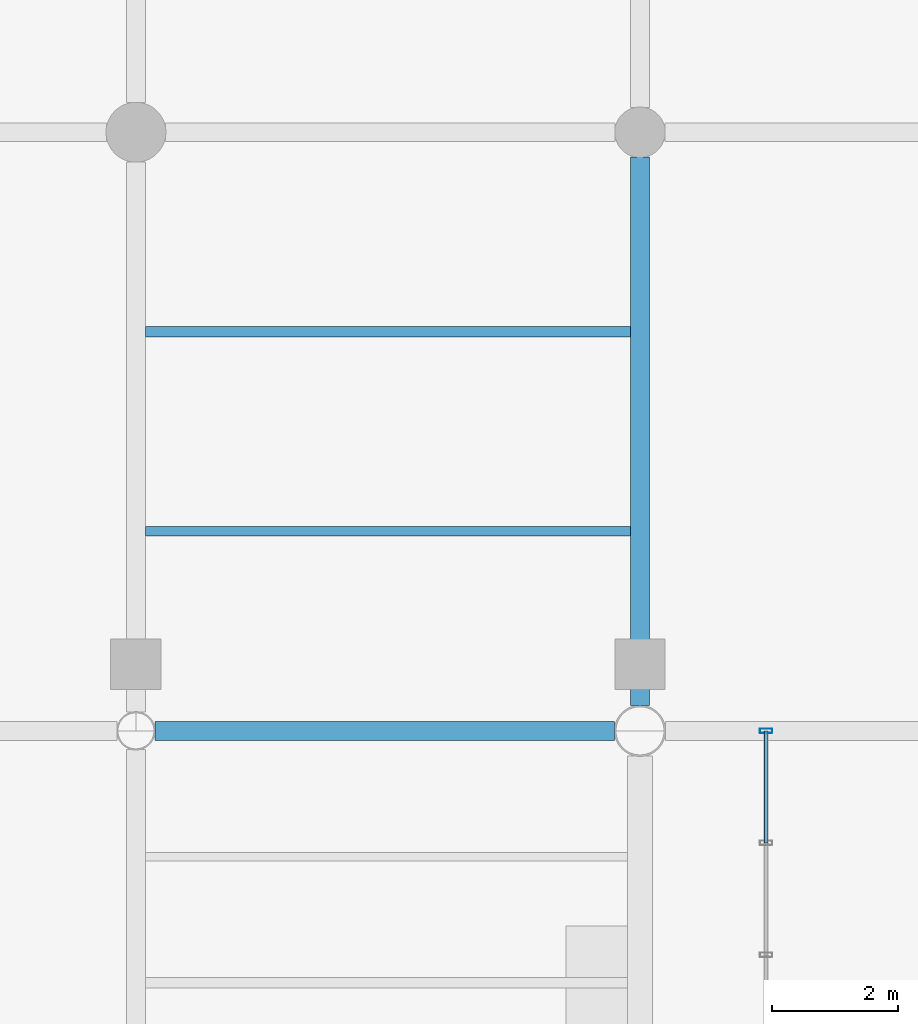
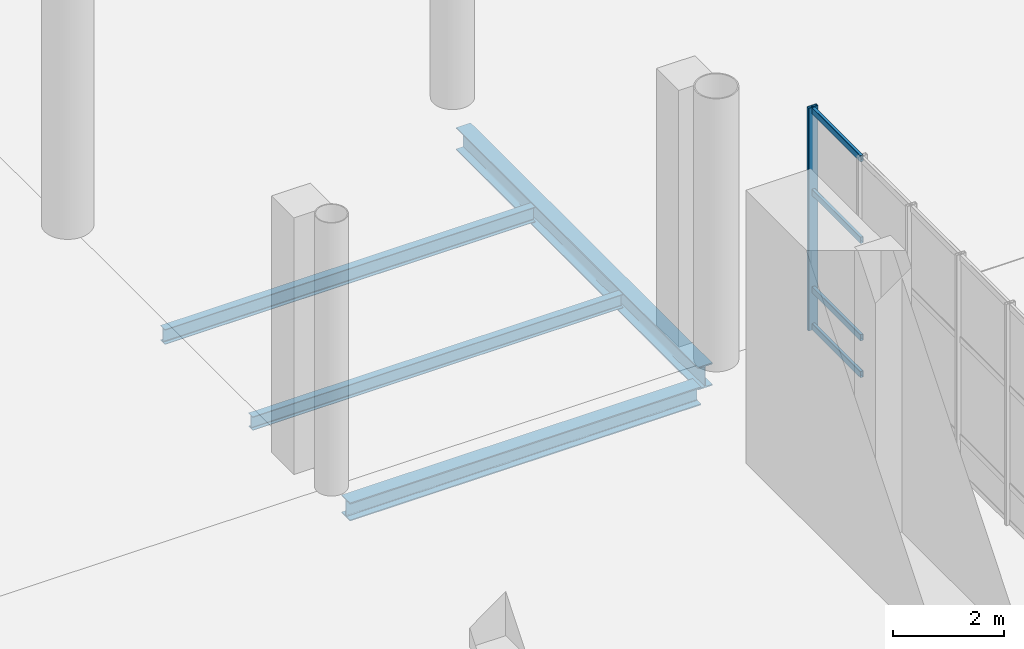
# One storey, part 100 of 163: 5 members, 4 beams, 1 element without a shape of its own.
"""IFC4 building model written with IfcOpenShell, lengths in metres."""

from ifc_helpers import new_model, si_unit, direction, frame, origin, origin_2d, place, context, subcontext, project, spatial, hollow_rectangle, i_section, extrude, material, layer, layer_set, material_profile, profile_set, type_object, element, aggregate, save


model = new_model("IFC4")

# Units and contexts
model_context = context("Model", 3, precision=1e-05, world=origin(), true_north=direction((0.0, 1.0)))
body_context = subcontext(model_context, "Body", "Model", "MODEL_VIEW")
ifc_project = project(units=[si_unit("LENGTHUNIT", "METRE"), si_unit("AREAUNIT", "SQUARE_METRE"), si_unit("VOLUMEUNIT", "CUBIC_METRE"), si_unit("PLANEANGLEUNIT", "RADIAN"), si_unit("MASSUNIT", "GRAM", prefix="KILO")], contexts=[model_context])

# Site, building, storey
site_placement = place(None, origin())
site = spatial("IfcSite", under=ifc_project, at=site_placement, CompositionType="ELEMENT")
building_placement = place(site_placement, origin())
building = spatial("IfcBuilding", under=site, at=building_placement, Name="Khorjan Park Terminus", CompositionType="ELEMENT")
storey_placement = place(building_placement, origin())
storey = spatial("IfcBuildingStorey", under=building, at=storey_placement, Name="L00", CompositionType="ELEMENT", Elevation=0.0)

# Beams
ifc_material_1 = material(Name="Steel S355", Category="steel")
ifc_material_profile_1 = material_profile(ifc_material_1, i_section(OverallWidth=0.3, OverallDepth=0.4, WebThickness=0.0135, FlangeThickness=0.024, FilletRadius=0.027, at=origin_2d()), Name="HEB 400")
ifc_profile_set_1 = profile_set([ifc_material_profile_1], Name="Steel S355")
beam_type_1 = type_object("IfcBeamType", Name="BM-HEB400", PredefinedType="BEAM", material=ifc_profile_set_1)
beam_1_placement = place(storey_placement, frame((120.3, 102.0, -0.58), z_axis=(1.0, 0.0, 0.0), x_axis=(0.0, 1.0, 0.0)))
element("IfcBeam", 1, at=beam_1_placement, inside=storey, type_object=beam_type_1, Name="Primary floor girder SB-B40 (L00)", PredefinedType="BEAM", context=body_context, shape_type="SweptSolid", body=[
    extrude(i_section(OverallWidth=0.3, OverallDepth=0.4, WebThickness=0.0135, FlangeThickness=0.024, FilletRadius=0.027, at=origin_2d()), origin(), (0.0, 0.0, 1.0), 7.2985),
])
ifc_material_profile_2 = material_profile(ifc_material_1, i_section(OverallWidth=0.3, OverallDepth=0.5, WebThickness=0.0145, FlangeThickness=0.028, FilletRadius=0.027, at=origin_2d()), Name="HEB 500")
ifc_profile_set_2 = profile_set([ifc_material_profile_2], Name="Steel S355")
beam_type_2 = type_object("IfcBeamType", Name="BM-HEB500", PredefinedType="BEAM", material=ifc_profile_set_2)
beam_2_placement = place(storey_placement, frame((128.0, 102.4015, -0.63), z_axis=(0.0, 1.0, 0.0), x_axis=(-1.0, 0.0, 0.0)))
element("IfcBeam", 2, at=beam_2_placement, inside=storey, type_object=beam_type_2, Name="Primary floor girder SB-B50 (L00)", PredefinedType="BEAM", context=body_context, shape_type="SweptSolid", body=[
    extrude(i_section(OverallWidth=0.3, OverallDepth=0.5, WebThickness=0.0145, FlangeThickness=0.028, FilletRadius=0.027, at=origin_2d()), origin(), (0.0, 0.0, 1.0), 8.7035),
])
ifc_material_profile_3 = material_profile(ifc_material_1, i_section(OverallWidth=0.15, OverallDepth=0.3, WebThickness=0.0071, FlangeThickness=0.0107, FilletRadius=0.015, at=origin_2d()), Name="IPE 300")
ifc_profile_set_3 = profile_set([ifc_material_profile_3], Name="Steel S355")
beam_type_3 = type_object("IfcBeamType", Name="JS-IPE300", PredefinedType="JOIST", material=ifc_profile_set_3)
beam_3_placement = place(storey_placement, frame((120.15, 105.1667, -0.55), z_axis=(1.0, 0.0, 0.0), x_axis=(0.0, 1.0, 0.0)))
element("IfcBeam", 3, at=beam_3_placement, inside=storey, type_object=beam_type_3, Name="Secondary composite floor joist SJ-30 (L00)", PredefinedType="JOIST", context=body_context, shape_type="SweptSolid", body=[
    extrude(i_section(OverallWidth=0.15, OverallDepth=0.3, WebThickness=0.0071, FlangeThickness=0.0107, FilletRadius=0.015, at=origin_2d()), origin(), (0.0, 0.0, 1.0), 7.7),
])
ifc_material_profile_4 = material_profile(ifc_material_1, i_section(OverallWidth=0.16, OverallDepth=0.33, WebThickness=0.0075, FlangeThickness=0.0115, FilletRadius=0.018, at=origin_2d()), Name="IPE 330")
ifc_profile_set_4 = profile_set([ifc_material_profile_4], Name="Steel S355")
beam_type_4 = type_object("IfcBeamType", Name="JS-IPE330", PredefinedType="JOIST", material=ifc_profile_set_4)
beam_4_placement = place(storey_placement, frame((120.15, 108.3333, -0.565), z_axis=(1.0, 0.0, 0.0), x_axis=(0.0, 1.0, 0.0)))
element("IfcBeam", 4, at=beam_4_placement, inside=storey, type_object=beam_type_4, Name="Secondary composite floor joist SJ-33 (L00)", PredefinedType="JOIST", context=body_context, shape_type="SweptSolid", body=[
    extrude(i_section(OverallWidth=0.16, OverallDepth=0.33, WebThickness=0.0075, FlangeThickness=0.0115, FilletRadius=0.018, at=origin_2d()), origin(), (0.0, 0.0, 1.0), 7.7),
])

# Curtain wall, members
ifc_material_2 = material(Name="Anodized Bronze Aluminium", Category="aluminium")
ifc_layer = layer(ifc_material_2, 0.22)
ifc_layer_set = layer_set([ifc_layer], Name="Anodized Bronze Aluminium")
curtain_wall_type = type_object("IfcCurtainWallType", Name="CW-BRG-D", PredefinedType="NOTDEFINED", material=ifc_layer_set)
curtain_wall_placement = place(storey_placement, origin())
curtain_wall = element("IfcCurtainWall", 5, at=curtain_wall_placement, inside=storey, type_object=curtain_wall_type, Name="Unitized curtain wall CW-D (CW-NKE-E-L00)", PredefinedType="NOTDEFINED")
ifc_material_profile_5 = material_profile(ifc_material_2, hollow_rectangle(XDim=0.07, YDim=0.2, WallThickness=0.005, InnerFilletRadius=0.005, OuterFilletRadius=0.01, at=origin_2d()), Name="ALM 70x200x5")
ifc_profile_set_5 = profile_set([ifc_material_profile_5], Name="Anodized Bronze Aluminium")
member_type_1 = type_object("IfcMemberType", Name="ML-ALM-200", PredefinedType="MULLION", material=ifc_profile_set_5)
member_1_placement = place(storey_placement, frame((130.0, 102.0, -0.035), z_axis=(0.0, 0.0, 1.0), x_axis=(0.0, 1.0, 0.0)))
member_1 = element("IfcMember", 6, at=member_1_placement, type_object=member_type_1, Name="Curtain-wall mullion ML-20 (CW-NKE-E-L00-9)", PredefinedType="MULLION", context=body_context, shape_type="SweptSolid", body=[
    extrude(hollow_rectangle(XDim=0.07, YDim=0.2, WallThickness=0.005, InnerFilletRadius=0.005, OuterFilletRadius=0.01, at=origin_2d()), origin(), (0.0, 0.0, 1.0), 4.895),
])
ifc_material_profile_6 = material_profile(ifc_material_2, hollow_rectangle(XDim=0.065, YDim=0.14, WallThickness=0.004, InnerFilletRadius=0.004, OuterFilletRadius=0.008, at=origin_2d()), Name="ALT 65x140x4")
ifc_profile_set_6 = profile_set([ifc_material_profile_6], Name="Anodized Bronze Aluminium")
member_type_2 = type_object("IfcMemberType", Name="TR-ALT-140", PredefinedType="USERDEFINED", material=ifc_profile_set_6)
member_2_placement = place(storey_placement, frame((130.0, 100.2222, 0.04), z_axis=(0.0, 1.0, 0.0), x_axis=(-1.0, 0.0, 0.0)))
member_2 = element("IfcMember", 7, at=member_2_placement, type_object=member_type_2, Name="Curtain-wall transom TR-14 (CW-NKE-E-L00-8-1)", ObjectType="TRANSOM", PredefinedType="USERDEFINED", context=body_context, shape_type="SweptSolid", body=[
    extrude(hollow_rectangle(XDim=0.065, YDim=0.14, WallThickness=0.004, InnerFilletRadius=0.004, OuterFilletRadius=0.008, at=origin_2d()), origin(), (0.0, 0.0, 1.0), 1.7778),
])
member_3_placement = place(storey_placement, frame((130.0, 100.2222, 0.85), z_axis=(0.0, 1.0, 0.0), x_axis=(-1.0, 0.0, 0.0)))
member_3 = element("IfcMember", 8, at=member_3_placement, type_object=member_type_2, Name="Curtain-wall transom TR-14 (CW-NKE-E-L00-8-2)", ObjectType="TRANSOM", PredefinedType="USERDEFINED", context=body_context, shape_type="SweptSolid", body=[
    extrude(hollow_rectangle(XDim=0.065, YDim=0.14, WallThickness=0.004, InnerFilletRadius=0.004, OuterFilletRadius=0.008, at=origin_2d()), origin(), (0.0, 0.0, 1.0), 1.7778),
])
member_4_placement = place(storey_placement, frame((130.0, 100.2222, 2.9915), z_axis=(0.0, 1.0, 0.0), x_axis=(-1.0, 0.0, 0.0)))
member_4 = element("IfcMember", 9, at=member_4_placement, type_object=member_type_2, Name="Curtain-wall transom TR-14 (CW-NKE-E-L00-8-3)", ObjectType="TRANSOM", PredefinedType="USERDEFINED", context=body_context, shape_type="SweptSolid", body=[
    extrude(hollow_rectangle(XDim=0.065, YDim=0.14, WallThickness=0.004, InnerFilletRadius=0.004, OuterFilletRadius=0.008, at=origin_2d()), origin(), (0.0, 0.0, 1.0), 1.7778),
])
member_5_placement = place(storey_placement, frame((130.0, 100.2222, 4.785), z_axis=(0.0, 1.0, 0.0), x_axis=(-1.0, 0.0, 0.0)))
member_5 = element("IfcMember", 10, at=member_5_placement, type_object=member_type_2, Name="Curtain-wall transom TR-14 (CW-NKE-E-L00-8-4)", ObjectType="TRANSOM", PredefinedType="USERDEFINED", context=body_context, shape_type="SweptSolid", body=[
    extrude(hollow_rectangle(XDim=0.065, YDim=0.14, WallThickness=0.004, InnerFilletRadius=0.004, OuterFilletRadius=0.008, at=origin_2d()), origin(), (0.0, 0.0, 1.0), 1.7778),
])
aggregate(curtain_wall, [member_1, member_2, member_3, member_4, member_5])

save(model, "model.ifc")
